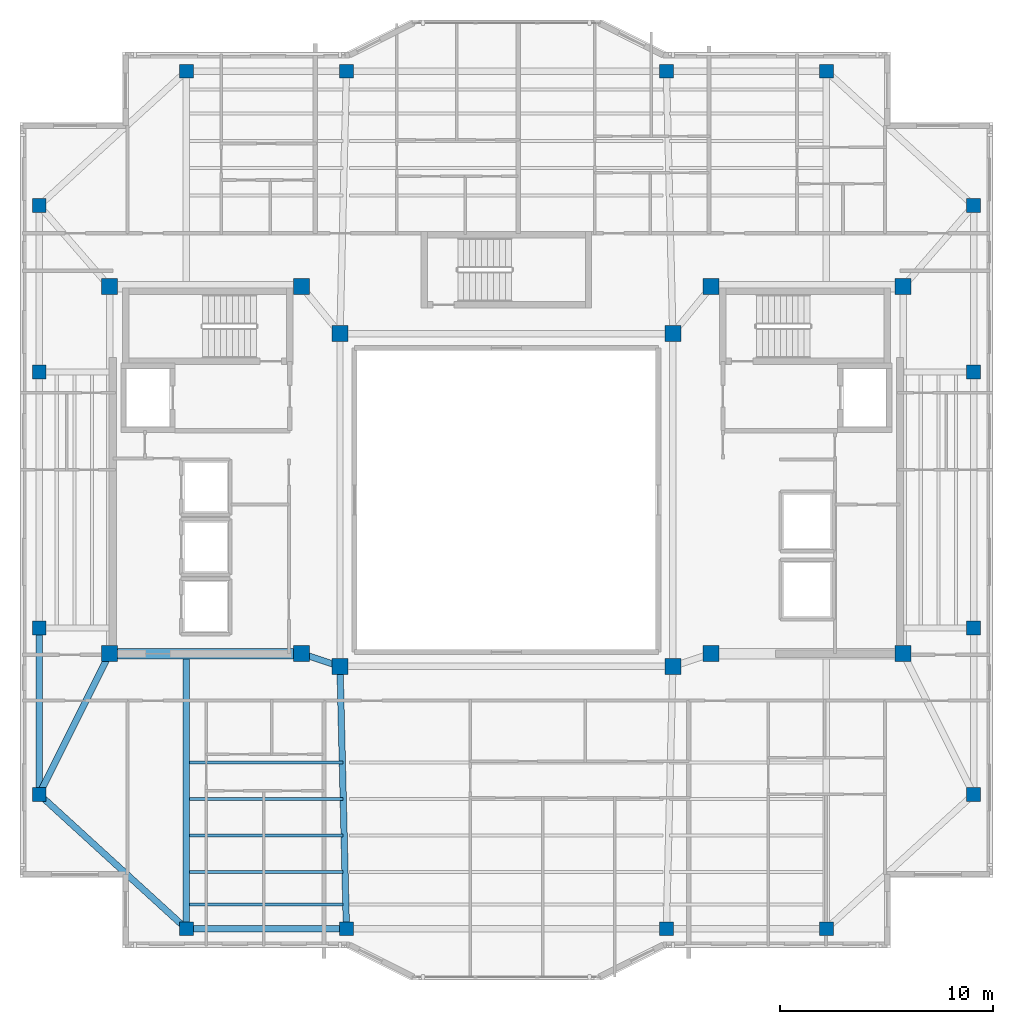
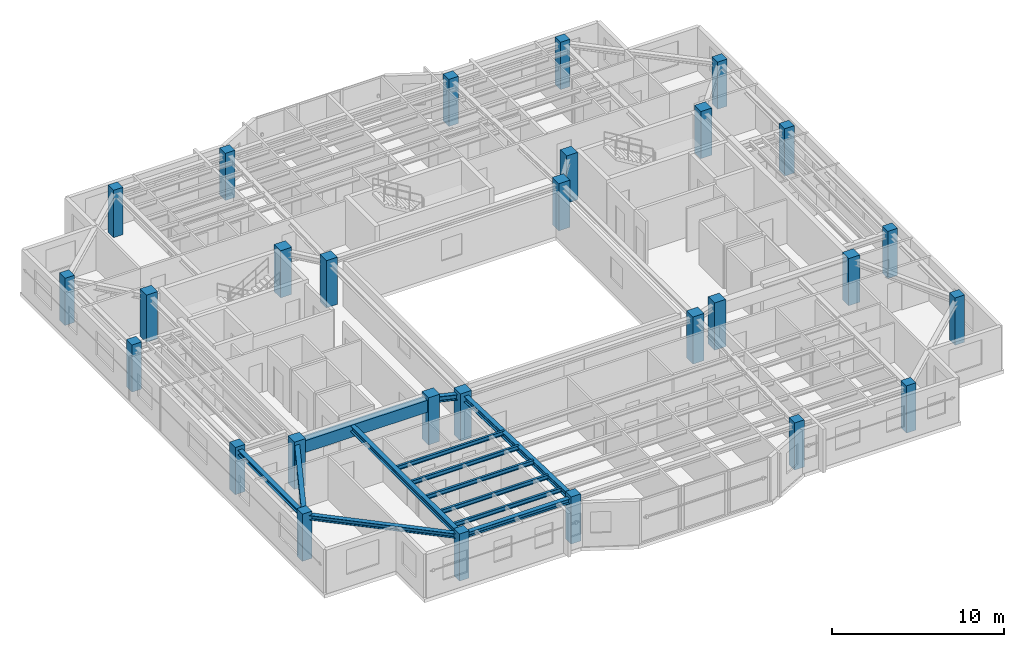
# One storey, part 1 of 15: 28 columns, 13 beams.
"""IFC4 building model written with IfcOpenShell, lengths in metres."""

from ifc_helpers import new_model, si_unit, direction, frame, origin, origin_2d, place, context, subcontext, project, spatial, rectangle, i_section, extrude, material, material_profile, profile_set, type_object, element, save


model = new_model("IFC4")

# Units and contexts
model_context = context("Model", 3, precision=1e-05, world=origin(), true_north=direction((0.0, 1.0)))
body_context = subcontext(model_context, "Body", "Model", "MODEL_VIEW")
ifc_project = project(units=[si_unit("LENGTHUNIT", "METRE"), si_unit("AREAUNIT", "SQUARE_METRE"), si_unit("VOLUMEUNIT", "CUBIC_METRE"), si_unit("PLANEANGLEUNIT", "RADIAN"), si_unit("MASSUNIT", "GRAM", prefix="KILO")], contexts=[model_context])

# Site, building, storey
site_placement = place(None, origin())
site = spatial("IfcSite", under=ifc_project, at=site_placement, CompositionType="ELEMENT")
building_placement = place(site_placement, origin())
building = spatial("IfcBuilding", under=site, at=building_placement, Name="Tarnavaz Court Tower", CompositionType="ELEMENT")
storey_placement = place(building_placement, frame((0.0, 0.0, 244.85009765625)))
storey = spatial("IfcBuildingStorey", under=building, at=storey_placement, Name="L66", CompositionType="ELEMENT", Elevation=244.85009765625)

# Columns
ifc_material_1 = material(Name="Concrete C50/60", Category="concrete")
ifc_material_profile_1 = material_profile(ifc_material_1, rectangle(XDim=0.64990234375, YDim=0.64990234375, at=origin_2d()), Name="RC 650X650")
ifc_profile_set_1 = profile_set([ifc_material_profile_1], Name="Concrete C50/60")
column_type_1 = type_object("IfcColumnType", Name="CL-RC650", PredefinedType="COLUMN", material=ifc_profile_set_1)
for number, where, z_axis, x_axis, name in (
    (1, (-15.0, 20.10009765625, 0.0), (0.0, 0.0, 1.0), (1.0, 0.0, 0.0), "L66 Column PN-1"),
    (2, (-7.5, 20.10009765625, 0.0), (0.0, 0.0, 1.0), (1.0, 0.0, 0.0), "L66 Column PN-2"),
    (3, (7.5, 20.10009765625, 0.0), (0.0, 0.0, 1.0), (1.0, 0.0, 0.0), "L66 Column PN-3"),
    (4, (15.0, 20.10009765625, 0.0), (0.0, 0.0, 1.0), (1.0, 0.0, 0.0), "L66 Column PN-4"),
    (5, (-15.0, -20.10009765625, 0.0), (0.0, 0.0, 1.0), (1.0, 0.0, 0.0), "L66 Column PS-1"),
    (6, (-7.5, -20.10009765625, 0.0), (0.0, 0.0, 1.0), (1.0, 0.0, 0.0), "L66 Column PS-2"),
    (7, (7.5, -20.10009765625, 0.0), (0.0, 0.0, 1.0), (1.0, 0.0, 0.0), "L66 Column PS-3"),
    (8, (15.0, -20.10009765625, 0.0), (0.0, 0.0, 1.0), (1.0, 0.0, 0.0), "L66 Column PS-4"),
    (9, (21.89990234375, -13.800048828125, 0.0), (0.0, 0.0, 1.0), (1.0, 0.0, 0.0), "L66 Column PE-1"),
    (10, (21.89990234375, -6.0, 0.0), (0.0, 0.0, 1.0), (1.0, 0.0, 0.0), "L66 Column PE-2"),
    (11, (21.89990234375, 6.0, 0.0), (0.0, 0.0, 1.0), (1.0, 0.0, 0.0), "L66 Column PE-3"),
    (12, (21.89990234375, 13.800048828125, 0.0), (0.0, 0.0, 1.0), (1.0, 0.0, 0.0), "L66 Column PE-4"),
    (13, (-21.89990234375, -13.800048828125, 0.0), (0.0, 0.0, 1.0), (1.0, 0.0, 0.0), "L66 Column PW-1"),
    (14, (-21.89990234375, -6.0, 0.0), (0.0, 0.0, 1.0), (1.0, 0.0, 0.0), "L66 Column PW-2"),
    (15, (-21.89990234375, 6.0, 0.0), (0.0, 0.0, 1.0), (1.0, 0.0, 0.0), "L66 Column PW-3"),
    (16, (-21.89990234375, 13.800048828125, 0.0), (0.0, 0.0, 1.0), (1.0, 0.0, 0.0), "L66 Column PW-4"),
):
    element("IfcColumn", number, at=place(storey_placement, frame(where, z_axis=z_axis, x_axis=x_axis)), inside=storey, type_object=column_type_1, Name=name, PredefinedType="COLUMN", context=body_context, shape_type="SweptSolid", body=[
        extrude(rectangle(XDim=0.64990234375, YDim=0.64990234375, at=origin_2d()), origin(), (0.0, 0.0, 1.0), 3.349853515625),
    ])
ifc_material_profile_2 = material_profile(ifc_material_1, rectangle(XDim=0.75, YDim=0.75, at=origin_2d()), Name="RC 750X750")
ifc_profile_set_2 = profile_set([ifc_material_profile_2], Name="Concrete C50/60")
column_type_2 = type_object("IfcColumnType", Name="CL-RC750", PredefinedType="COLUMN", material=ifc_profile_set_2)
for number, where, z_axis, x_axis, name in (
    (17, (-7.800048828125, -7.800048828125, 0.0), (0.0, 0.0, 1.0), (1.0, 0.0, 0.0), "L66 Column IW-SW"),
    (18, (7.800048828125, -7.800048828125, 0.0), (0.0, 0.0, 1.0), (1.0, 0.0, 0.0), "L66 Column IW-SE"),
    (19, (-7.800048828125, 7.800048828125, 0.0), (0.0, 0.0, 1.0), (1.0, 0.0, 0.0), "L66 Column IW-NW"),
    (20, (7.800048828125, 7.800048828125, 0.0), (0.0, 0.0, 1.0), (1.0, 0.0, 0.0), "L66 Column IW-NE"),
    (21, (-9.60009765625, -7.199951171875, 0.0), (0.0, 0.0, 1.0), (1.0, 0.0, 0.0), "L66 Column CW-SI"),
    (22, (-9.60009765625, 10.0, 0.0), (0.0, 0.0, 1.0), (1.0, 0.0, 0.0), "L66 Column CW-NI"),
    (23, (9.60009765625, -7.199951171875, 0.0), (0.0, 0.0, 1.0), (1.0, 0.0, 0.0), "L66 Column CE-SI"),
    (24, (9.60009765625, 10.0, 0.0), (0.0, 0.0, 1.0), (1.0, 0.0, 0.0), "L66 Column CE-NI"),
    (25, (-18.60009765625, -7.199951171875, 0.0), (0.0, 0.0, 1.0), (1.0, 0.0, 0.0), "L66 Column CW-SO"),
    (26, (-18.60009765625, 10.0, 0.0), (0.0, 0.0, 1.0), (1.0, 0.0, 0.0), "L66 Column CW-NO"),
    (27, (18.60009765625, -7.199951171875, 0.0), (0.0, 0.0, 1.0), (1.0, 0.0, 0.0), "L66 Column CE-SO"),
    (28, (18.60009765625, 10.0, 0.0), (0.0, 0.0, 1.0), (1.0, 0.0, 0.0), "L66 Column CE-NO"),
):
    element("IfcColumn", number, at=place(storey_placement, frame(where, z_axis=z_axis, x_axis=x_axis)), inside=storey, type_object=column_type_2, Name=name, PredefinedType="COLUMN", context=body_context, shape_type="SweptSolid", body=[
        extrude(rectangle(XDim=0.75, YDim=0.75, at=origin_2d()), origin(), (0.0, 0.0, 1.0), 3.349853515625),
    ])

# Beams
ifc_material_profile_3 = material_profile(ifc_material_1, rectangle(XDim=0.5, YDim=0.85009765625, at=origin_2d()), Name="RC 500X850")
ifc_profile_set_3 = profile_set([ifc_material_profile_3], Name="Concrete C50/60")
beam_type_1 = type_object("IfcBeamType", Name="BM-CB850", PredefinedType="LINTEL", material=ifc_profile_set_3)
beam_1_placement = place(storey_placement, frame((-18.3798828125, -7.199951171875, 2.6748046875), z_axis=(1.0, 0.0, 0.0), x_axis=(0.0, 1.0, 0.0)))
element("IfcBeam", 29, at=beam_1_placement, inside=storey, type_object=beam_type_1, Name="L66 Beam IN-CW-SO-CW-SI", PredefinedType="LINTEL", context=body_context, shape_type="SweptSolid", body=[
    extrude(rectangle(XDim=0.5, YDim=0.85009765625, at=origin_2d()), origin(), (0.0, 0.0, 1.0), 8.559814453125),
])
ifc_material_2 = material(Name="Steel S355", Category="steel")
ifc_material_profile_4 = material_profile(ifc_material_2, i_section(OverallWidth=0.300048828125, OverallDepth=0.39990234375, WebThickness=0.013427734375, FlangeThickness=0.02392578125, FilletRadius=0.027099609375, at=origin_2d()), Name="HEB 400")
ifc_profile_set_4 = profile_set([ifc_material_profile_4], Name="Steel S355")
beam_type_2 = type_object("IfcBeamType", Name="BM-G-HEB400", PredefinedType="USERDEFINED", material=ifc_profile_set_4)
beam_2_placement = place(storey_placement, frame((-9.391357421875, -7.26953125, 2.89990234375), z_axis=(0.948666544706, -0.316278021615, 0.0), x_axis=(0.316278021615, 0.948666544706, 0.0)))
element("IfcBeam", 30, at=beam_2_placement, inside=storey, type_object=beam_type_2, Name="L66 Beam IN-CW-SI-IW-SW", ObjectType="GIRDER", PredefinedType="USERDEFINED", context=body_context, shape_type="SweptSolid", body=[
    extrude(i_section(OverallWidth=0.300048828125, OverallDepth=0.39990234375, WebThickness=0.013427734375, FlangeThickness=0.02392578125, FilletRadius=0.027099609375, at=origin_2d()), origin(), (0.0, 0.0, 1.0), 1.457275390625),
])
beam_3_placement = place(storey_placement, frame((-15.0, -7.239990234375, 2.89990234375), z_axis=(0.0, -1.0, 0.0), x_axis=(1.0, 0.0, 0.0)))
element("IfcBeam", 31, at=beam_3_placement, inside=storey, type_object=beam_type_2, Name="L66 Beam RG-05", ObjectType="GIRDER", PredefinedType="USERDEFINED", context=body_context, shape_type="SweptSolid", body=[
    extrude(i_section(OverallWidth=0.300048828125, OverallDepth=0.39990234375, WebThickness=0.013427734375, FlangeThickness=0.02392578125, FilletRadius=0.027099609375, at=origin_2d()), origin(), (0.0, 0.0, 1.0), 12.639892578125),
])
beam_4_placement = place(storey_placement, frame((-7.794677734375, -8.02001953125, 2.89990234375), z_axis=(0.024386002211, -0.99970261723, 0.0), x_axis=(0.99970261723, 0.024386002211, 0.0)))
element("IfcBeam", 32, at=beam_4_placement, inside=storey, type_object=beam_type_2, Name="L66 Beam RG-06", ObjectType="GIRDER", PredefinedType="USERDEFINED", context=body_context, shape_type="SweptSolid", body=[
    extrude(i_section(OverallWidth=0.300048828125, OverallDepth=0.39990234375, WebThickness=0.013427734375, FlangeThickness=0.02392578125, FilletRadius=0.027099609375, at=origin_2d()), origin(), (0.0, 0.0, 1.0), 11.863525390625),
])
beam_5_placement = place(storey_placement, frame((-18.698486328125, -7.396728515625, 2.89990234375), z_axis=(-0.447185448279, -0.894441264057, 0.0), x_axis=(0.894441264057, -0.447185448279, 0.0)))
element("IfcBeam", 33, at=beam_5_placement, inside=storey, type_object=beam_type_2, Name="L66 Beam RG-15", ObjectType="GIRDER", PredefinedType="USERDEFINED", context=body_context, shape_type="SweptSolid", body=[
    extrude(i_section(OverallWidth=0.300048828125, OverallDepth=0.39990234375, WebThickness=0.013427734375, FlangeThickness=0.02392578125, FilletRadius=0.027099609375, at=origin_2d()), origin(), (0.0, 0.0, 1.0), 6.93896484375),
])
ifc_material_profile_5 = material_profile(ifc_material_2, i_section(OverallWidth=0.14990234375, OverallDepth=0.300048828125, WebThickness=0.007080078125, FlangeThickness=0.0107421875, FilletRadius=0.014892578125, at=origin_2d()), Name="IPE 300")
ifc_profile_set_5 = profile_set([ifc_material_profile_5], Name="Steel S355")
beam_type_3 = type_object("IfcBeamType", Name="BM-J-IPE300", PredefinedType="JOIST", material=ifc_profile_set_5)
for number, where, z_axis, x_axis, name in (
    (34, (-14.85009765625, -12.31005859375, 2.949951171875), (1.0, 0.0, 0.0), (0.0, 1.0, 0.0), "L66 Beam JS1-1"),
    (35, (-14.85009765625, -14.02001953125, 2.949951171875), (1.0, 0.0, 0.0), (0.0, 1.0, 0.0), "L66 Beam JS2-1"),
    (36, (-14.85009765625, -15.72998046875, 2.949951171875), (1.0, 0.0, 0.0), (0.0, 1.0, 0.0), "L66 Beam JS3-1"),
    (37, (-14.85009765625, -17.43994140625, 2.949951171875), (1.0, 0.0, 0.0), (0.0, 1.0, 0.0), "L66 Beam JS4-1"),
    (38, (-14.85009765625, -18.9599609375, 2.949951171875), (1.0, 0.0, 0.0), (0.0, 1.0, 0.0), "L66 Beam JS5-1"),
):
    element("IfcBeam", number, at=place(storey_placement, frame(where, z_axis=z_axis, x_axis=x_axis)), inside=storey, type_object=beam_type_3, Name=name, PredefinedType="JOIST", context=body_context, shape_type="SweptSolid", body=[
        extrude(i_section(OverallWidth=0.14990234375, OverallDepth=0.300048828125, WebThickness=0.007080078125, FlangeThickness=0.0107421875, FilletRadius=0.014892578125, at=origin_2d()), origin(), (0.0, 0.0, 1.0), 7.2001953125),
    ])
ifc_material_profile_6 = material_profile(ifc_material_2, i_section(OverallWidth=0.300048828125, OverallDepth=0.330078125, WebThickness=0.009521484375, FlangeThickness=0.0166015625, FilletRadius=0.027099609375, at=origin_2d()), Name="HEA 340")
ifc_profile_set_6 = profile_set([ifc_material_profile_6], Name="Steel S355")
beam_type_4 = type_object("IfcBeamType", Name="BM-SP-HEA340", PredefinedType="BEAM", material=ifc_profile_set_6)
beam_6_placement = place(storey_placement, frame((-14.780029296875, -20.10009765625, 2.934814453125), z_axis=(1.0, 0.0, 0.0), x_axis=(0.0, 1.0, 0.0)))
element("IfcBeam", 39, at=beam_6_placement, inside=storey, type_object=beam_type_4, Name="L66 Beam PR-PS-1-PS-2", PredefinedType="BEAM", context=body_context, shape_type="SweptSolid", body=[
    extrude(i_section(OverallWidth=0.300048828125, OverallDepth=0.330078125, WebThickness=0.009521484375, FlangeThickness=0.0166015625, FilletRadius=0.027099609375, at=origin_2d()), origin(), (0.0, 0.0, 1.0), 7.06005859375),
])
beam_7_placement = place(storey_placement, frame((-21.89990234375, -13.580078125, 2.934814453125), z_axis=(0.0, 1.0, 0.0), x_axis=(-1.0, 0.0, 0.0)))
element("IfcBeam", 40, at=beam_7_placement, inside=storey, type_object=beam_type_4, Name="L66 Beam PR-PW-1-PW-2", PredefinedType="BEAM", context=body_context, shape_type="SweptSolid", body=[
    extrude(i_section(OverallWidth=0.300048828125, OverallDepth=0.330078125, WebThickness=0.009521484375, FlangeThickness=0.0166015625, FilletRadius=0.027099609375, at=origin_2d()), origin(), (0.0, 0.0, 1.0), 7.360107421875),
])
beam_8_placement = place(storey_placement, frame((-15.16259765625, -19.95166015625, 2.934814453125), z_axis=(-0.738474214476, 0.674281717499, 0.0), x_axis=(-0.674281717499, -0.738474214476, 0.0)))
element("IfcBeam", 41, at=beam_8_placement, inside=storey, type_object=beam_type_4, Name="L66 Beam PR-PS-1-PW-1", PredefinedType="BEAM", context=body_context, shape_type="SweptSolid", body=[
    extrude(i_section(OverallWidth=0.300048828125, OverallDepth=0.330078125, WebThickness=0.009521484375, FlangeThickness=0.0166015625, FilletRadius=0.027099609375, at=origin_2d()), origin(), (0.0, 0.0, 1.0), 8.9033203125),
])

save(model, "model.ifc")
